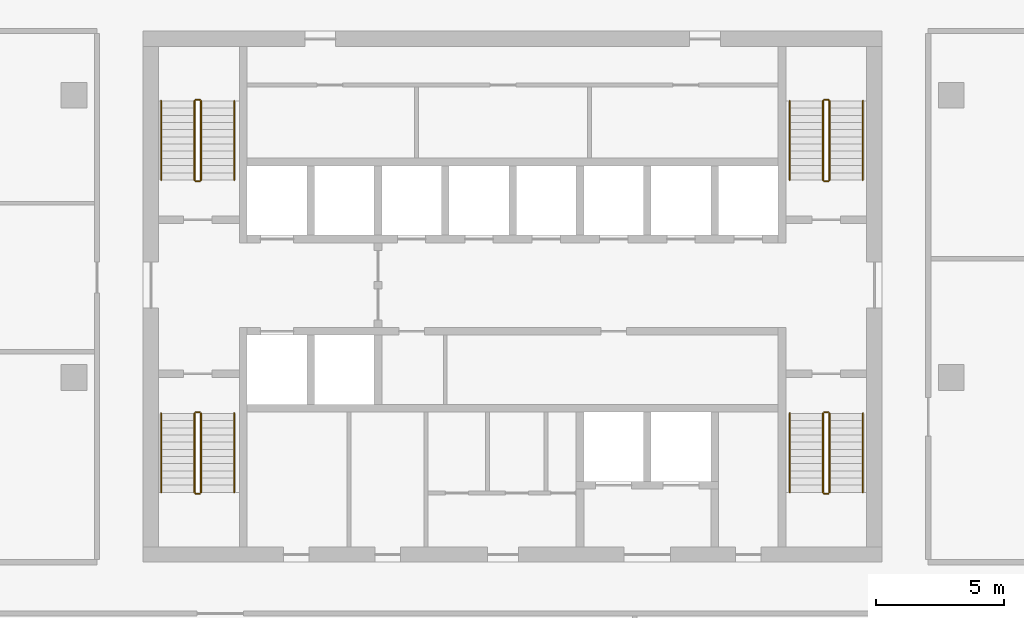
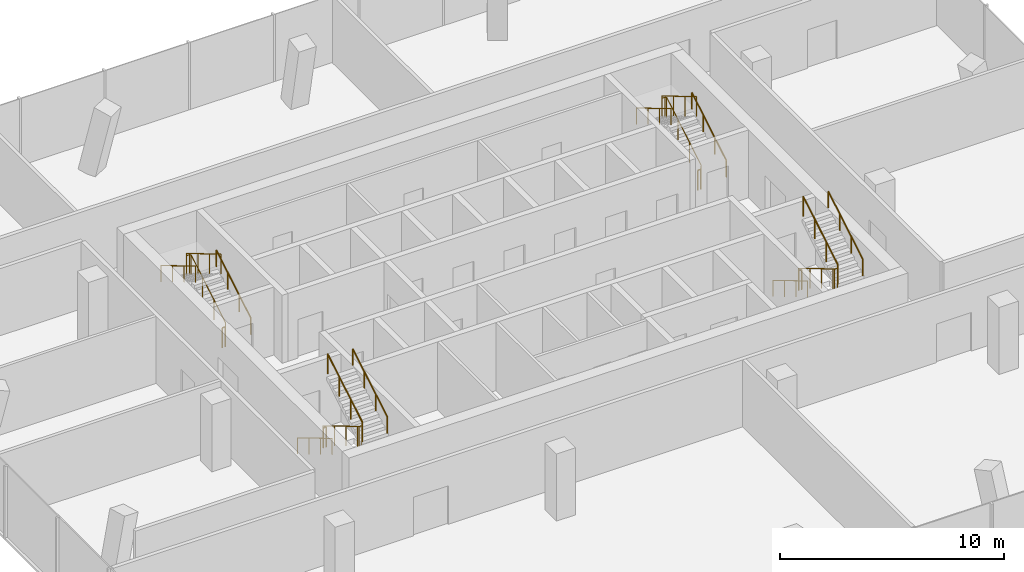
# One storey, part 10 of 10: 20 railings.
"""IFC4 building model written with IfcOpenShell, lengths in metres."""

from ifc_helpers import new_model, si_unit, direction, frame, origin, origin_2d, place, context, subcontext, project, spatial, circle, extrude, material, type_object, element, save


model = new_model("IFC4")

# Units and contexts
model_context = context("Model", 3, precision=1e-05, world=origin(), true_north=direction((0.0, 1.0)))
body_context = subcontext(model_context, "Body", "Model", "MODEL_VIEW")
ifc_project = project(units=[si_unit("LENGTHUNIT", "METRE"), si_unit("AREAUNIT", "SQUARE_METRE"), si_unit("VOLUMEUNIT", "CUBIC_METRE"), si_unit("PLANEANGLEUNIT", "RADIAN"), si_unit("MASSUNIT", "GRAM", prefix="KILO")], contexts=[model_context])

# Site, building, storey
site_placement = place(None, origin())
site = spatial("IfcSite", under=ifc_project, at=site_placement, CompositionType="ELEMENT")
building_placement = place(site_placement, origin())
building = spatial("IfcBuilding", under=site, at=building_placement, Name="Mopane Tessera Tower", CompositionType="ELEMENT")
storey_placement = place(building_placement, frame((0.0, 0.0, 325.39990234375)))
storey = spatial("IfcBuildingStorey", under=building, at=storey_placement, Name="L71", CompositionType="ELEMENT", Elevation=325.39990234375)

# Railings
ifc_material_1 = material(Name="Powder-coated steel balustrade", Category="steel")
railing_type_1 = type_object("IfcRailingType", Name="Escape stair guard 1100 mm", PredefinedType="GUARDRAIL", material=ifc_material_1)
railing_1_placement = place(storey_placement, frame((-12.39990234375, -1.39990234375, 0.166748046875)))
element("IfcRailing", 1, at=railing_1_placement, inside=storey, type_object=railing_type_1, Name="L71 ST1 stair guard 1", PredefinedType="GUARDRAIL", context=body_context, shape_type="SweptSolid", body=[
    extrude(circle(Radius=0.02392578125, at=origin_2d()), frame((0.0, 0.0, 1.076171875), z_axis=(0.0, -0.859308565015, 0.511457515432), x_axis=(1.0, 0.0, 0.0)), (0.0, 0.0, 1.0), 3.58447265625),
    extrude(circle(Radius=0.02392578125, at=origin_2d()), frame((0.0, -3.080078125, 2.9091796875), z_axis=(0.705375805398, -0.708833529934, 0.0), x_axis=(0.708833529934, 0.705375805398, 0.0)), (0.0, 0.0, 1.0), 0.070556640625),
    extrude(circle(Radius=0.02392578125, at=origin_2d()), frame((0.0498046875, -3.130126953125, 2.9091796875), z_axis=(1.0, 0.0, 0.0), x_axis=(0.0, 1.0, 0.0)), (0.0, 0.0, 1.0), 0.150146484375),
    extrude(circle(Radius=0.02099609375, at=origin_2d()), origin(), (0.0, 0.0, 1.0), 1.052001953125),
    extrude(circle(Radius=0.02099609375, at=origin_2d()), frame((0.0, -1.026611328125, 0.611083984375)), (0.0, 0.0, 1.0), 1.052001953125),
    extrude(circle(Radius=0.02099609375, at=origin_2d()), frame((0.0, -2.053466796875, 1.22216796875)), (0.0, 0.0, 1.0), 1.052001953125),
    extrude(circle(Radius=0.02099609375, at=origin_2d()), frame((0.0, -3.080078125, 1.833251953125)), (0.0, 0.0, 1.0), 1.052001953125),
    extrude(circle(Radius=0.02099609375, at=origin_2d()), frame((0.0498046875, -3.130126953125, 1.833251953125)), (0.0, 0.0, 1.0), 1.052001953125),
    extrude(circle(Radius=0.02099609375, at=origin_2d()), frame((0.199951171875, -3.130126953125, 1.833251953125)), (0.0, 0.0, 1.0), 1.052001953125),
])
railing_2_placement = place(storey_placement, frame((-12.14990234375, -4.47998046875, 2.166748046875)))
element("IfcRailing", 2, at=railing_2_placement, inside=storey, type_object=railing_type_1, Name="L71 ST1 stair guard 2", PredefinedType="GUARDRAIL", context=body_context, shape_type="SweptSolid", body=[
    extrude(circle(Radius=0.02392578125, at=origin_2d()), frame((0.0, 0.0, 1.076171875), z_axis=(0.0, 0.859308565015, 0.511457515432), x_axis=(-1.0, 0.0, 0.0)), (0.0, 0.0, 1.0), 3.58447265625),
    extrude(circle(Radius=0.02099609375, at=origin_2d()), origin(), (0.0, 0.0, 1.0), 1.052001953125),
    extrude(circle(Radius=0.02099609375, at=origin_2d()), frame((0.0, 1.026611328125, 0.611083984375)), (0.0, 0.0, 1.0), 1.052001953125),
    extrude(circle(Radius=0.02099609375, at=origin_2d()), frame((0.0, 2.053466796875, 1.22216796875)), (0.0, 0.0, 1.0), 1.052001953125),
    extrude(circle(Radius=0.02099609375, at=origin_2d()), frame((0.0, 3.080078125, 1.833251953125)), (0.0, 0.0, 1.0), 1.052001953125),
])
railing_3_placement = place(storey_placement, frame((-12.35009765625, -1.35009765625, 0.0)))
element("IfcRailing", 3, at=railing_3_placement, inside=storey, type_object=railing_type_1, Name="L71 ST1 stair guard 3", PredefinedType="GUARDRAIL", context=body_context, shape_type="SweptSolid", body=[
    extrude(circle(Radius=0.02392578125, at=origin_2d()), frame((0.0, 0.0, 1.076171875), z_axis=(1.0, 0.0, 0.0), x_axis=(0.0, 1.0, 0.0)), (0.0, 0.0, 1.0), 0.150146484375),
    extrude(circle(Radius=0.02099609375, at=origin_2d()), origin(), (0.0, 0.0, 1.0), 1.052001953125),
    extrude(circle(Radius=0.02099609375, at=origin_2d()), frame((0.150146484375, 0.0, 0.0)), (0.0, 0.0, 1.0), 1.052001953125),
])
railing_4_placement = place(storey_placement, frame((-12.14990234375, 7.699951171875, 0.166748046875)))
element("IfcRailing", 4, at=railing_4_placement, inside=storey, type_object=railing_type_1, Name="L71 ST2 stair guard 1", PredefinedType="GUARDRAIL", context=body_context, shape_type="SweptSolid", body=[
    extrude(circle(Radius=0.02392578125, at=origin_2d()), frame((0.0, 0.0, 1.076171875), z_axis=(0.0, 0.859308565015, 0.511457515432), x_axis=(-1.0, 0.0, 0.0)), (0.0, 0.0, 1.0), 3.58447265625),
    extrude(circle(Radius=0.02392578125, at=origin_2d()), frame((0.0, 3.080078125, 2.9091796875), z_axis=(-0.707106781187, 0.707106781187, 0.0), x_axis=(-0.707106781187, -0.707106781187, 0.0)), (0.0, 0.0, 1.0), 0.07080078125),
    extrude(circle(Radius=0.02392578125, at=origin_2d()), frame((-0.050048828125, 3.130126953125, 2.9091796875), z_axis=(-1.0, 0.0, 0.0), x_axis=(0.0, -1.0, 0.0)), (0.0, 0.0, 1.0), 0.150146484375),
    extrude(circle(Radius=0.02099609375, at=origin_2d()), origin(), (0.0, 0.0, 1.0), 1.052001953125),
    extrude(circle(Radius=0.02099609375, at=origin_2d()), frame((0.0, 1.026611328125, 0.611083984375)), (0.0, 0.0, 1.0), 1.052001953125),
    extrude(circle(Radius=0.02099609375, at=origin_2d()), frame((0.0, 2.053466796875, 1.22216796875)), (0.0, 0.0, 1.0), 1.052001953125),
    extrude(circle(Radius=0.02099609375, at=origin_2d()), frame((0.0, 3.080078125, 1.833251953125)), (0.0, 0.0, 1.0), 1.052001953125),
    extrude(circle(Radius=0.02099609375, at=origin_2d()), frame((-0.050048828125, 3.130126953125, 1.833251953125)), (0.0, 0.0, 1.0), 1.052001953125),
    extrude(circle(Radius=0.02099609375, at=origin_2d()), frame((-0.2001953125, 3.130126953125, 1.833251953125)), (0.0, 0.0, 1.0), 1.052001953125),
])
railing_5_placement = place(storey_placement, frame((-12.39990234375, 10.780029296875, 2.166748046875)))
element("IfcRailing", 5, at=railing_5_placement, inside=storey, type_object=railing_type_1, Name="L71 ST2 stair guard 2", PredefinedType="GUARDRAIL", context=body_context, shape_type="SweptSolid", body=[
    extrude(circle(Radius=0.02392578125, at=origin_2d()), frame((0.0, 0.0, 1.076171875), z_axis=(0.0, -0.859308565015, 0.511457515432), x_axis=(1.0, 0.0, 0.0)), (0.0, 0.0, 1.0), 3.58447265625),
    extrude(circle(Radius=0.02099609375, at=origin_2d()), origin(), (0.0, 0.0, 1.0), 1.052001953125),
    extrude(circle(Radius=0.02099609375, at=origin_2d()), frame((0.0, -1.026611328125, 0.611083984375)), (0.0, 0.0, 1.0), 1.052001953125),
    extrude(circle(Radius=0.02099609375, at=origin_2d()), frame((0.0, -2.053466796875, 1.22216796875)), (0.0, 0.0, 1.0), 1.052001953125),
    extrude(circle(Radius=0.02099609375, at=origin_2d()), frame((0.0, -3.080078125, 1.833251953125)), (0.0, 0.0, 1.0), 1.052001953125),
])
railing_6_placement = place(storey_placement, frame((-12.199951171875, 7.64990234375, 0.0)))
element("IfcRailing", 6, at=railing_6_placement, inside=storey, type_object=railing_type_1, Name="L71 ST2 stair guard 3", PredefinedType="GUARDRAIL", context=body_context, shape_type="SweptSolid", body=[
    extrude(circle(Radius=0.02392578125, at=origin_2d()), frame((0.0, 0.0, 1.076171875), z_axis=(-1.0, 0.0, 0.0), x_axis=(0.0, -1.0, 0.0)), (0.0, 0.0, 1.0), 0.150146484375),
    extrude(circle(Radius=0.02099609375, at=origin_2d()), origin(), (0.0, 0.0, 1.0), 1.052001953125),
    extrude(circle(Radius=0.02099609375, at=origin_2d()), frame((-0.150146484375, 0.0, 0.0)), (0.0, 0.0, 1.0), 1.052001953125),
])
railing_7_placement = place(storey_placement, frame((12.10009765625, -1.39990234375, 0.166748046875)))
element("IfcRailing", 7, at=railing_7_placement, inside=storey, type_object=railing_type_1, Name="L71 ST3 stair guard 1", PredefinedType="GUARDRAIL", context=body_context, shape_type="SweptSolid", body=[
    extrude(circle(Radius=0.02392578125, at=origin_2d()), frame((0.0, 0.0, 1.076171875), z_axis=(0.0, -0.859308565015, 0.511457515432), x_axis=(1.0, 0.0, 0.0)), (0.0, 0.0, 1.0), 3.58447265625),
    extrude(circle(Radius=0.02392578125, at=origin_2d()), frame((0.0, -3.080078125, 2.9091796875), z_axis=(0.705375805398, -0.708833529934, 0.0), x_axis=(0.708833529934, 0.705375805398, 0.0)), (0.0, 0.0, 1.0), 0.070556640625),
    extrude(circle(Radius=0.02392578125, at=origin_2d()), frame((0.0498046875, -3.130126953125, 2.9091796875), z_axis=(1.0, 0.0, 0.0), x_axis=(0.0, 1.0, 0.0)), (0.0, 0.0, 1.0), 0.150146484375),
    extrude(circle(Radius=0.02099609375, at=origin_2d()), origin(), (0.0, 0.0, 1.0), 1.052001953125),
    extrude(circle(Radius=0.02099609375, at=origin_2d()), frame((0.0, -1.026611328125, 0.611083984375)), (0.0, 0.0, 1.0), 1.052001953125),
    extrude(circle(Radius=0.02099609375, at=origin_2d()), frame((0.0, -2.053466796875, 1.22216796875)), (0.0, 0.0, 1.0), 1.052001953125),
    extrude(circle(Radius=0.02099609375, at=origin_2d()), frame((0.0, -3.080078125, 1.833251953125)), (0.0, 0.0, 1.0), 1.052001953125),
    extrude(circle(Radius=0.02099609375, at=origin_2d()), frame((0.0498046875, -3.130126953125, 1.833251953125)), (0.0, 0.0, 1.0), 1.052001953125),
    extrude(circle(Radius=0.02099609375, at=origin_2d()), frame((0.199951171875, -3.130126953125, 1.833251953125)), (0.0, 0.0, 1.0), 1.052001953125),
])
railing_8_placement = place(storey_placement, frame((12.35009765625, -4.47998046875, 2.166748046875)))
element("IfcRailing", 8, at=railing_8_placement, inside=storey, type_object=railing_type_1, Name="L71 ST3 stair guard 2", PredefinedType="GUARDRAIL", context=body_context, shape_type="SweptSolid", body=[
    extrude(circle(Radius=0.02392578125, at=origin_2d()), frame((0.0, 0.0, 1.076171875), z_axis=(0.0, 0.859308565015, 0.511457515432), x_axis=(-1.0, 0.0, 0.0)), (0.0, 0.0, 1.0), 3.58447265625),
    extrude(circle(Radius=0.02099609375, at=origin_2d()), origin(), (0.0, 0.0, 1.0), 1.052001953125),
    extrude(circle(Radius=0.02099609375, at=origin_2d()), frame((0.0, 1.026611328125, 0.611083984375)), (0.0, 0.0, 1.0), 1.052001953125),
    extrude(circle(Radius=0.02099609375, at=origin_2d()), frame((0.0, 2.053466796875, 1.22216796875)), (0.0, 0.0, 1.0), 1.052001953125),
    extrude(circle(Radius=0.02099609375, at=origin_2d()), frame((0.0, 3.080078125, 1.833251953125)), (0.0, 0.0, 1.0), 1.052001953125),
])
railing_9_placement = place(storey_placement, frame((12.14990234375, -1.35009765625, 0.0)))
element("IfcRailing", 9, at=railing_9_placement, inside=storey, type_object=railing_type_1, Name="L71 ST3 stair guard 3", PredefinedType="GUARDRAIL", context=body_context, shape_type="SweptSolid", body=[
    extrude(circle(Radius=0.02392578125, at=origin_2d()), frame((0.0, 0.0, 1.076171875), z_axis=(1.0, 0.0, 0.0), x_axis=(0.0, 1.0, 0.0)), (0.0, 0.0, 1.0), 0.150146484375),
    extrude(circle(Radius=0.02099609375, at=origin_2d()), origin(), (0.0, 0.0, 1.0), 1.052001953125),
    extrude(circle(Radius=0.02099609375, at=origin_2d()), frame((0.150146484375, 0.0, 0.0)), (0.0, 0.0, 1.0), 1.052001953125),
])
railing_10_placement = place(storey_placement, frame((12.35009765625, 7.699951171875, 0.166748046875)))
element("IfcRailing", 10, at=railing_10_placement, inside=storey, type_object=railing_type_1, Name="L71 ST4 stair guard 1", PredefinedType="GUARDRAIL", context=body_context, shape_type="SweptSolid", body=[
    extrude(circle(Radius=0.02392578125, at=origin_2d()), frame((0.0, 0.0, 1.076171875), z_axis=(0.0, 0.859308565015, 0.511457515432), x_axis=(-1.0, 0.0, 0.0)), (0.0, 0.0, 1.0), 3.58447265625),
    extrude(circle(Radius=0.02392578125, at=origin_2d()), frame((0.0, 3.080078125, 2.9091796875), z_axis=(-0.707106781187, 0.707106781187, 0.0), x_axis=(-0.707106781187, -0.707106781187, 0.0)), (0.0, 0.0, 1.0), 0.07080078125),
    extrude(circle(Radius=0.02392578125, at=origin_2d()), frame((-0.050048828125, 3.130126953125, 2.9091796875), z_axis=(-1.0, 0.0, 0.0), x_axis=(0.0, -1.0, 0.0)), (0.0, 0.0, 1.0), 0.150146484375),
    extrude(circle(Radius=0.02099609375, at=origin_2d()), origin(), (0.0, 0.0, 1.0), 1.052001953125),
    extrude(circle(Radius=0.02099609375, at=origin_2d()), frame((0.0, 1.026611328125, 0.611083984375)), (0.0, 0.0, 1.0), 1.052001953125),
    extrude(circle(Radius=0.02099609375, at=origin_2d()), frame((0.0, 2.053466796875, 1.22216796875)), (0.0, 0.0, 1.0), 1.052001953125),
    extrude(circle(Radius=0.02099609375, at=origin_2d()), frame((0.0, 3.080078125, 1.833251953125)), (0.0, 0.0, 1.0), 1.052001953125),
    extrude(circle(Radius=0.02099609375, at=origin_2d()), frame((-0.050048828125, 3.130126953125, 1.833251953125)), (0.0, 0.0, 1.0), 1.052001953125),
    extrude(circle(Radius=0.02099609375, at=origin_2d()), frame((-0.2001953125, 3.130126953125, 1.833251953125)), (0.0, 0.0, 1.0), 1.052001953125),
])
railing_11_placement = place(storey_placement, frame((12.10009765625, 10.780029296875, 2.166748046875)))
element("IfcRailing", 11, at=railing_11_placement, inside=storey, type_object=railing_type_1, Name="L71 ST4 stair guard 2", PredefinedType="GUARDRAIL", context=body_context, shape_type="SweptSolid", body=[
    extrude(circle(Radius=0.02392578125, at=origin_2d()), frame((0.0, 0.0, 1.076171875), z_axis=(0.0, -0.859308565015, 0.511457515432), x_axis=(1.0, 0.0, 0.0)), (0.0, 0.0, 1.0), 3.58447265625),
    extrude(circle(Radius=0.02099609375, at=origin_2d()), origin(), (0.0, 0.0, 1.0), 1.052001953125),
    extrude(circle(Radius=0.02099609375, at=origin_2d()), frame((0.0, -1.026611328125, 0.611083984375)), (0.0, 0.0, 1.0), 1.052001953125),
    extrude(circle(Radius=0.02099609375, at=origin_2d()), frame((0.0, -2.053466796875, 1.22216796875)), (0.0, 0.0, 1.0), 1.052001953125),
    extrude(circle(Radius=0.02099609375, at=origin_2d()), frame((0.0, -3.080078125, 1.833251953125)), (0.0, 0.0, 1.0), 1.052001953125),
])
railing_12_placement = place(storey_placement, frame((12.300048828125, 7.64990234375, 0.0)))
element("IfcRailing", 12, at=railing_12_placement, inside=storey, type_object=railing_type_1, Name="L71 ST4 stair guard 3", PredefinedType="GUARDRAIL", context=body_context, shape_type="SweptSolid", body=[
    extrude(circle(Radius=0.02392578125, at=origin_2d()), frame((0.0, 0.0, 1.076171875), z_axis=(-1.0, 0.0, 0.0), x_axis=(0.0, -1.0, 0.0)), (0.0, 0.0, 1.0), 0.150146484375),
    extrude(circle(Radius=0.02099609375, at=origin_2d()), origin(), (0.0, 0.0, 1.0), 1.052001953125),
    extrude(circle(Radius=0.02099609375, at=origin_2d()), frame((-0.150146484375, 0.0, 0.0)), (0.0, 0.0, 1.0), 1.052001953125),
])
ifc_material_2 = material(Name="Powder-coated steel balustrade", Category="steel")
railing_type_2 = type_object("IfcRailingType", Name="Escape stair handrail 900 mm", PredefinedType="HANDRAIL", material=ifc_material_2)
railing_13_placement = place(storey_placement, frame((-13.699951171875, -1.39990234375, 0.166748046875)))
element("IfcRailing", 13, at=railing_13_placement, inside=storey, type_object=railing_type_2, Name="L71 ST1 stair handrail 1", PredefinedType="HANDRAIL", context=body_context, shape_type="SweptSolid", body=[
    extrude(circle(Radius=0.02392578125, at=origin_2d()), frame((0.0, 0.0, 0.8759765625), z_axis=(0.0, -0.859308565015, 0.511457515432), x_axis=(1.0, 0.0, 0.0)), (0.0, 0.0, 1.0), 3.58447265625),
    extrude(circle(Radius=0.02099609375, at=origin_2d()), origin(), (0.0, 0.0, 1.0), 0.851806640625),
    extrude(circle(Radius=0.02099609375, at=origin_2d()), frame((0.0, -1.026611328125, 0.611083984375)), (0.0, 0.0, 1.0), 0.851806640625),
    extrude(circle(Radius=0.02099609375, at=origin_2d()), frame((0.0, -2.053466796875, 1.22216796875)), (0.0, 0.0, 1.0), 0.851806640625),
    extrude(circle(Radius=0.02099609375, at=origin_2d()), frame((0.0, -3.080078125, 1.833251953125)), (0.0, 0.0, 1.0), 0.851806640625),
])
for number, where, name in (
    (14, (-10.85009765625, -4.47998046875, 2.166748046875), "L71 ST1 stair handrail 2"),
    (15, (-10.85009765625, 7.699951171875, 0.166748046875), "L71 ST2 stair handrail 1"),
):
    element("IfcRailing", number, at=place(storey_placement, frame(where)), inside=storey, type_object=railing_type_2, Name=name, PredefinedType="HANDRAIL", context=body_context, shape_type="SweptSolid", body=[
        extrude(circle(Radius=0.02392578125, at=origin_2d()), frame((0.0, 0.0, 0.8759765625), z_axis=(0.0, 0.859308565015, 0.511457515432), x_axis=(-1.0, 0.0, 0.0)), (0.0, 0.0, 1.0), 3.58447265625),
        extrude(circle(Radius=0.02099609375, at=origin_2d()), origin(), (0.0, 0.0, 1.0), 0.851806640625),
        extrude(circle(Radius=0.02099609375, at=origin_2d()), frame((0.0, 1.026611328125, 0.611083984375)), (0.0, 0.0, 1.0), 0.851806640625),
        extrude(circle(Radius=0.02099609375, at=origin_2d()), frame((0.0, 2.053466796875, 1.22216796875)), (0.0, 0.0, 1.0), 0.851806640625),
        extrude(circle(Radius=0.02099609375, at=origin_2d()), frame((0.0, 3.080078125, 1.833251953125)), (0.0, 0.0, 1.0), 0.851806640625),
    ])
for number, where, name in (
    (16, (-13.699951171875, 10.780029296875, 2.166748046875), "L71 ST2 stair handrail 2"),
    (17, (10.800048828125, -1.39990234375, 0.166748046875), "L71 ST3 stair handrail 1"),
):
    element("IfcRailing", number, at=place(storey_placement, frame(where)), inside=storey, type_object=railing_type_2, Name=name, PredefinedType="HANDRAIL", context=body_context, shape_type="SweptSolid", body=[
        extrude(circle(Radius=0.02392578125, at=origin_2d()), frame((0.0, 0.0, 0.8759765625), z_axis=(0.0, -0.859308565015, 0.511457515432), x_axis=(1.0, 0.0, 0.0)), (0.0, 0.0, 1.0), 3.58447265625),
        extrude(circle(Radius=0.02099609375, at=origin_2d()), origin(), (0.0, 0.0, 1.0), 0.851806640625),
        extrude(circle(Radius=0.02099609375, at=origin_2d()), frame((0.0, -1.026611328125, 0.611083984375)), (0.0, 0.0, 1.0), 0.851806640625),
        extrude(circle(Radius=0.02099609375, at=origin_2d()), frame((0.0, -2.053466796875, 1.22216796875)), (0.0, 0.0, 1.0), 0.851806640625),
        extrude(circle(Radius=0.02099609375, at=origin_2d()), frame((0.0, -3.080078125, 1.833251953125)), (0.0, 0.0, 1.0), 0.851806640625),
    ])
for number, where, name in (
    (18, (13.64990234375, -4.47998046875, 2.166748046875), "L71 ST3 stair handrail 2"),
    (19, (13.64990234375, 7.699951171875, 0.166748046875), "L71 ST4 stair handrail 1"),
):
    element("IfcRailing", number, at=place(storey_placement, frame(where)), inside=storey, type_object=railing_type_2, Name=name, PredefinedType="HANDRAIL", context=body_context, shape_type="SweptSolid", body=[
        extrude(circle(Radius=0.02392578125, at=origin_2d()), frame((0.0, 0.0, 0.8759765625), z_axis=(0.0, 0.859308565015, 0.511457515432), x_axis=(-1.0, 0.0, 0.0)), (0.0, 0.0, 1.0), 3.58447265625),
        extrude(circle(Radius=0.02099609375, at=origin_2d()), origin(), (0.0, 0.0, 1.0), 0.851806640625),
        extrude(circle(Radius=0.02099609375, at=origin_2d()), frame((0.0, 1.026611328125, 0.611083984375)), (0.0, 0.0, 1.0), 0.851806640625),
        extrude(circle(Radius=0.02099609375, at=origin_2d()), frame((0.0, 2.053466796875, 1.22216796875)), (0.0, 0.0, 1.0), 0.851806640625),
        extrude(circle(Radius=0.02099609375, at=origin_2d()), frame((0.0, 3.080078125, 1.833251953125)), (0.0, 0.0, 1.0), 0.851806640625),
    ])
railing_14_placement = place(storey_placement, frame((10.800048828125, 10.780029296875, 2.166748046875)))
element("IfcRailing", 20, at=railing_14_placement, inside=storey, type_object=railing_type_2, Name="L71 ST4 stair handrail 2", PredefinedType="HANDRAIL", context=body_context, shape_type="SweptSolid", body=[
    extrude(circle(Radius=0.02392578125, at=origin_2d()), frame((0.0, 0.0, 0.8759765625), z_axis=(0.0, -0.859308565015, 0.511457515432), x_axis=(1.0, 0.0, 0.0)), (0.0, 0.0, 1.0), 3.58447265625),
    extrude(circle(Radius=0.02099609375, at=origin_2d()), origin(), (0.0, 0.0, 1.0), 0.851806640625),
    extrude(circle(Radius=0.02099609375, at=origin_2d()), frame((0.0, -1.026611328125, 0.611083984375)), (0.0, 0.0, 1.0), 0.851806640625),
    extrude(circle(Radius=0.02099609375, at=origin_2d()), frame((0.0, -2.053466796875, 1.22216796875)), (0.0, 0.0, 1.0), 0.851806640625),
    extrude(circle(Radius=0.02099609375, at=origin_2d()), frame((0.0, -3.080078125, 1.833251953125)), (0.0, 0.0, 1.0), 0.851806640625),
])

save(model, "model.ifc")
